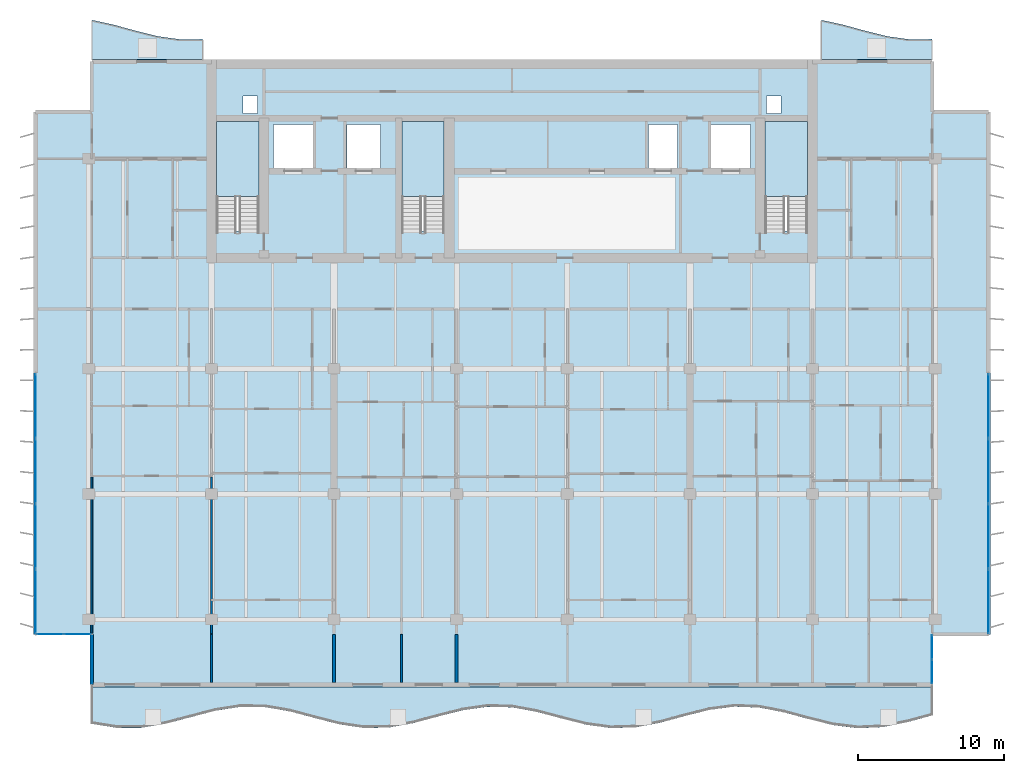
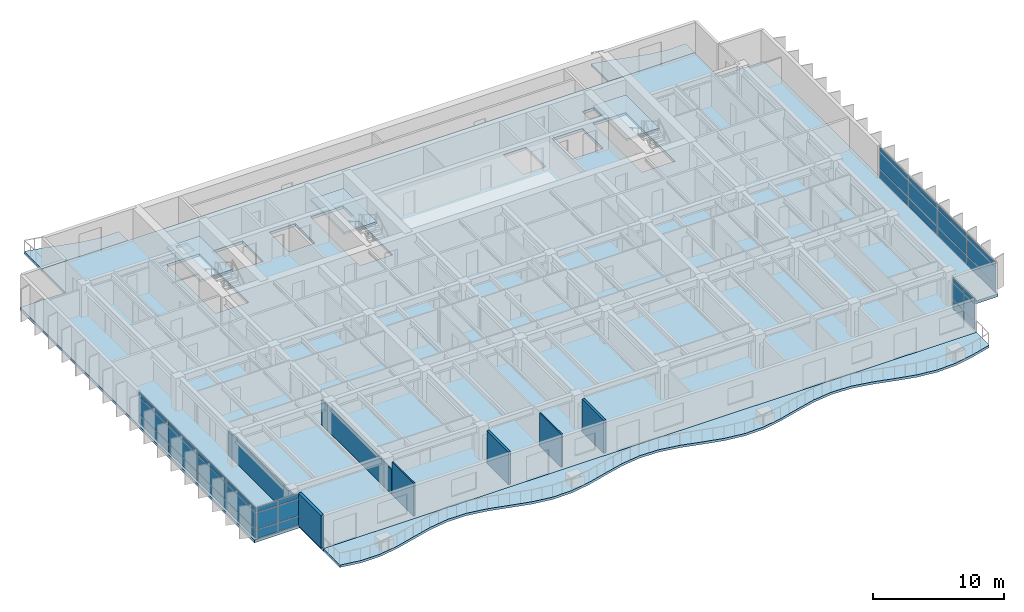
# One storey, part 7 of 19: 36 plates, 7 slabs, 7 walls, 7 elements without a shape of their own.
"""IFC4 building model written with IfcOpenShell, lengths in metres."""

from ifc_helpers import new_model, si_unit, direction, frame, frame_2d, origin, origin_2d, place, context, subcontext, project, spatial, polyline, rectangle, outline, extrude, material, layer, layer_set, type_object, element, aggregate, save


model = new_model("IFC4")

# Units and contexts
model_context = context("Model", 3, precision=1e-05, world=origin(), true_north=direction((0.0, 1.0)))
body_context = subcontext(model_context, "Body", "Model", "MODEL_VIEW")
ifc_project = project(units=[si_unit("LENGTHUNIT", "METRE"), si_unit("AREAUNIT", "SQUARE_METRE"), si_unit("VOLUMEUNIT", "CUBIC_METRE"), si_unit("PLANEANGLEUNIT", "RADIAN"), si_unit("MASSUNIT", "GRAM", prefix="KILO")], contexts=[model_context])

# Site, building, storey
site_placement = place(None, origin())
site = spatial("IfcSite", under=ifc_project, at=site_placement, CompositionType="ELEMENT")
building_placement = place(site_placement, origin())
building = spatial("IfcBuilding", under=site, at=building_placement, Name="Caelmar Bay Residences", CompositionType="ELEMENT")
storey_placement = place(building_placement, frame((0.0, 0.0, 195.0)))
storey = spatial("IfcBuildingStorey", under=building, at=storey_placement, Name="L54", CompositionType="ELEMENT", Elevation=195.0)

# Curtain wall, plates
ifc_material_1 = material(Name="Anodised bronze aluminium 6063-T6 and laminated glass", Category="aluminium")
ifc_layer_1 = layer(ifc_material_1, 0.179931640625)
ifc_layer_set_1 = layer_set([ifc_layer_1], Name="Anodised bronze aluminium 6063-T6 and laminated glass")
curtain_wall_type_1 = type_object("IfcCurtainWallType", Name="CW6-NTC", PredefinedType="NOTDEFINED", material=ifc_layer_set_1)
curtain_wall_1_placement = place(storey_placement, origin())
curtain_wall_1 = element("IfcCurtainWall", 1, at=curtain_wall_1_placement, inside=storey, type_object=curtain_wall_type_1, Name="CW6 curtain wall L54", PredefinedType="NOTDEFINED")
ifc_material_2 = material(Name="Bronze-tinted laminated low-E hurricane glass 28 mm", Category="glass")
ifc_layer_2 = layer(ifc_material_2, 0.028076171875)
ifc_layer_set_2 = layer_set([ifc_layer_2], Name="Bronze-tinted laminated low-E hurricane glass 28 mm")
plate_type = type_object("IfcPlateType", Name="CWP-GLZ28", PredefinedType="CURTAIN_PANEL", material=ifc_layer_set_2)
plate_1_placement = place(storey_placement, frame((7.232421875, 11.199951171875, 0.080078125), z_axis=(0.0, 0.0, 1.0), x_axis=(1.0, 0.0, 0.0)))
plate_1 = element("IfcPlate", 2, at=plate_1_placement, type_object=plate_type, Name="CW6 panel 1.1", PredefinedType="CURTAIN_PANEL", context=body_context, shape_type="SweptSolid", body=[
    extrude(rectangle(XDim=1.804931640625, YDim=0.028076171875, at=origin_2d()), origin(), (0.0, 0.0, 1.0), 0.780029296875),
])
plate_2_placement = place(storey_placement, frame((7.232421875, 11.199951171875, 0.93994140625), z_axis=(0.0, 0.0, 1.0), x_axis=(1.0, 0.0, 0.0)))
plate_2 = element("IfcPlate", 3, at=plate_2_placement, type_object=plate_type, Name="CW6 panel 1.2", PredefinedType="CURTAIN_PANEL", context=body_context, shape_type="SweptSolid", body=[
    extrude(rectangle(XDim=1.804931640625, YDim=0.028076171875, at=origin_2d()), origin(), (0.0, 0.0, 1.0), 1.52001953125),
])
plate_3_placement = place(storey_placement, frame((7.232421875, 11.199951171875, 2.5400390625), z_axis=(0.0, 0.0, 1.0), x_axis=(1.0, 0.0, 0.0)))
plate_3 = element("IfcPlate", 4, at=plate_3_placement, type_object=plate_type, Name="CW6 panel 1.3", PredefinedType="CURTAIN_PANEL", context=body_context, shape_type="SweptSolid", body=[
    extrude(rectangle(XDim=1.804931640625, YDim=0.028076171875, at=origin_2d()), origin(), (0.0, 0.0, 1.0), 0.429931640625),
])
plate_4_placement = place(storey_placement, frame((9.117431640625, 11.199951171875, 0.080078125), z_axis=(0.0, 0.0, 1.0), x_axis=(1.0, 0.0, 0.0)))
plate_4 = element("IfcPlate", 5, at=plate_4_placement, type_object=plate_type, Name="CW6 panel 2.1", PredefinedType="CURTAIN_PANEL", context=body_context, shape_type="SweptSolid", body=[
    extrude(rectangle(XDim=1.804931640625, YDim=0.028076171875, at=origin_2d()), origin(), (0.0, 0.0, 1.0), 0.780029296875),
])
plate_5_placement = place(storey_placement, frame((9.117431640625, 11.199951171875, 0.93994140625), z_axis=(0.0, 0.0, 1.0), x_axis=(1.0, 0.0, 0.0)))
plate_5 = element("IfcPlate", 6, at=plate_5_placement, type_object=plate_type, Name="CW6 panel 2.2", PredefinedType="CURTAIN_PANEL", context=body_context, shape_type="SweptSolid", body=[
    extrude(rectangle(XDim=1.804931640625, YDim=0.028076171875, at=origin_2d()), origin(), (0.0, 0.0, 1.0), 1.52001953125),
])
plate_6_placement = place(storey_placement, frame((9.117431640625, 11.199951171875, 2.5400390625), z_axis=(0.0, 0.0, 1.0), x_axis=(1.0, 0.0, 0.0)))
plate_6 = element("IfcPlate", 7, at=plate_6_placement, type_object=plate_type, Name="CW6 panel 2.3", PredefinedType="CURTAIN_PANEL", context=body_context, shape_type="SweptSolid", body=[
    extrude(rectangle(XDim=1.804931640625, YDim=0.028076171875, at=origin_2d()), origin(), (0.0, 0.0, 1.0), 0.429931640625),
])
aggregate(curtain_wall_1, [plate_1, plate_2, plate_3, plate_4, plate_5, plate_6])

curtain_wall_2_placement = place(storey_placement, origin())
curtain_wall_2 = element("IfcCurtainWall", 8, at=curtain_wall_2_placement, inside=storey, type_object=curtain_wall_type_1, Name="CW6 curtain wall L54", PredefinedType="NOTDEFINED")
plate_7_placement = place(storey_placement, frame((67.699951171875, 8.632568359375, 0.080078125), z_axis=(0.0, 0.0, 1.0), x_axis=(0.0, 1.0, 0.0)))
plate_7 = element("IfcPlate", 9, at=plate_7_placement, type_object=plate_type, Name="CW6 panel 1.1", PredefinedType="CURTAIN_PANEL", context=body_context, shape_type="SweptSolid", body=[
    extrude(rectangle(XDim=1.60498046875, YDim=0.028076171875, at=origin_2d()), origin(), (0.0, 0.0, 1.0), 0.780029296875),
])
plate_8_placement = place(storey_placement, frame((67.699951171875, 8.632568359375, 0.93994140625), z_axis=(0.0, 0.0, 1.0), x_axis=(0.0, 1.0, 0.0)))
plate_8 = element("IfcPlate", 10, at=plate_8_placement, type_object=plate_type, Name="CW6 panel 1.2", PredefinedType="CURTAIN_PANEL", context=body_context, shape_type="SweptSolid", body=[
    extrude(rectangle(XDim=1.60498046875, YDim=0.028076171875, at=origin_2d()), origin(), (0.0, 0.0, 1.0), 1.52001953125),
])
plate_9_placement = place(storey_placement, frame((67.699951171875, 8.632568359375, 2.5400390625), z_axis=(0.0, 0.0, 1.0), x_axis=(0.0, 1.0, 0.0)))
plate_9 = element("IfcPlate", 11, at=plate_9_placement, type_object=plate_type, Name="CW6 panel 1.3", PredefinedType="CURTAIN_PANEL", context=body_context, shape_type="SweptSolid", body=[
    extrude(rectangle(XDim=1.60498046875, YDim=0.028076171875, at=origin_2d()), origin(), (0.0, 0.0, 1.0), 0.429931640625),
])
plate_10_placement = place(storey_placement, frame((67.699951171875, 10.3173828125, 0.080078125), z_axis=(0.0, 0.0, 1.0), x_axis=(0.0, 1.0, 0.0)))
plate_10 = element("IfcPlate", 12, at=plate_10_placement, type_object=plate_type, Name="CW6 panel 2.1", PredefinedType="CURTAIN_PANEL", context=body_context, shape_type="SweptSolid", body=[
    extrude(rectangle(XDim=1.60498046875, YDim=0.028076171875, at=origin_2d()), origin(), (0.0, 0.0, 1.0), 0.780029296875),
])
plate_11_placement = place(storey_placement, frame((67.699951171875, 10.3173828125, 0.93994140625), z_axis=(0.0, 0.0, 1.0), x_axis=(0.0, 1.0, 0.0)))
plate_11 = element("IfcPlate", 13, at=plate_11_placement, type_object=plate_type, Name="CW6 panel 2.2", PredefinedType="CURTAIN_PANEL", context=body_context, shape_type="SweptSolid", body=[
    extrude(rectangle(XDim=1.60498046875, YDim=0.028076171875, at=origin_2d()), origin(), (0.0, 0.0, 1.0), 1.52001953125),
])
plate_12_placement = place(storey_placement, frame((67.699951171875, 10.3173828125, 2.5400390625), z_axis=(0.0, 0.0, 1.0), x_axis=(0.0, 1.0, 0.0)))
plate_12 = element("IfcPlate", 14, at=plate_12_placement, type_object=plate_type, Name="CW6 panel 2.3", PredefinedType="CURTAIN_PANEL", context=body_context, shape_type="SweptSolid", body=[
    extrude(rectangle(XDim=1.60498046875, YDim=0.028076171875, at=origin_2d()), origin(), (0.0, 0.0, 1.0), 0.429931640625),
])
aggregate(curtain_wall_2, [plate_7, plate_8, plate_9, plate_10, plate_11, plate_12])

ifc_layer_3 = layer(ifc_material_1, 0.179931640625)
ifc_layer_set_3 = layer_set([ifc_layer_3], Name="Anodised bronze aluminium 6063-T6 and laminated glass")
curtain_wall_type_2 = type_object("IfcCurtainWallType", Name="CW4-Z3", PredefinedType="NOTDEFINED", material=ifc_layer_set_3)
curtain_wall_3_placement = place(storey_placement, origin())
curtain_wall_3 = element("IfcCurtainWall", 15, at=curtain_wall_3_placement, inside=storey, type_object=curtain_wall_type_2, Name="CW4 curtain wall L54", PredefinedType="NOTDEFINED")
plate_13_placement = place(storey_placement, frame((6.25, 13.45751953125, 0.080078125), z_axis=(0.0, 0.0, 1.0), x_axis=(0.0, 1.0, 0.0)))
plate_13 = element("IfcPlate", 16, at=plate_13_placement, type_object=plate_type, Name="CW4 panel 1.1", PredefinedType="CURTAIN_PANEL", context=body_context, shape_type="SweptSolid", body=[
    extrude(rectangle(XDim=4.35498046875, YDim=0.028076171875, at=origin_2d()), origin(), (0.0, 0.0, 1.0), 0.780029296875),
])
plate_14_placement = place(storey_placement, frame((6.25, 13.45751953125, 0.93994140625), z_axis=(0.0, 0.0, 1.0), x_axis=(0.0, 1.0, 0.0)))
plate_14 = element("IfcPlate", 17, at=plate_14_placement, type_object=plate_type, Name="CW4 panel 1.2", PredefinedType="CURTAIN_PANEL", context=body_context, shape_type="SweptSolid", body=[
    extrude(rectangle(XDim=4.35498046875, YDim=0.028076171875, at=origin_2d()), origin(), (0.0, 0.0, 1.0), 1.52001953125),
])
plate_15_placement = place(storey_placement, frame((6.25, 13.45751953125, 2.5400390625), z_axis=(0.0, 0.0, 1.0), x_axis=(0.0, 1.0, 0.0)))
plate_15 = element("IfcPlate", 18, at=plate_15_placement, type_object=plate_type, Name="CW4 panel 1.3", PredefinedType="CURTAIN_PANEL", context=body_context, shape_type="SweptSolid", body=[
    extrude(rectangle(XDim=4.35498046875, YDim=0.028076171875, at=origin_2d()), origin(), (0.0, 0.0, 1.0), 0.429931640625),
])
plate_16_placement = place(storey_placement, frame((6.25, 17.91259765625, 0.080078125), z_axis=(0.0, 0.0, 1.0), x_axis=(0.0, 1.0, 0.0)))
plate_16 = element("IfcPlate", 19, at=plate_16_placement, type_object=plate_type, Name="CW4 panel 2.1", PredefinedType="CURTAIN_PANEL", context=body_context, shape_type="SweptSolid", body=[
    extrude(rectangle(XDim=4.39501953125, YDim=0.028076171875, at=origin_2d()), origin(), (0.0, 0.0, 1.0), 0.780029296875),
])
plate_17_placement = place(storey_placement, frame((6.25, 17.91259765625, 0.93994140625), z_axis=(0.0, 0.0, 1.0), x_axis=(0.0, 1.0, 0.0)))
plate_17 = element("IfcPlate", 20, at=plate_17_placement, type_object=plate_type, Name="CW4 panel 2.2", PredefinedType="CURTAIN_PANEL", context=body_context, shape_type="SweptSolid", body=[
    extrude(rectangle(XDim=4.39501953125, YDim=0.028076171875, at=origin_2d()), origin(), (0.0, 0.0, 1.0), 1.52001953125),
])
plate_18_placement = place(storey_placement, frame((6.25, 17.91259765625, 2.5400390625), z_axis=(0.0, 0.0, 1.0), x_axis=(0.0, 1.0, 0.0)))
plate_18 = element("IfcPlate", 21, at=plate_18_placement, type_object=plate_type, Name="CW4 panel 2.3", PredefinedType="CURTAIN_PANEL", context=body_context, shape_type="SweptSolid", body=[
    extrude(rectangle(XDim=4.39501953125, YDim=0.028076171875, at=origin_2d()), origin(), (0.0, 0.0, 1.0), 0.429931640625),
])
plate_19_placement = place(storey_placement, frame((6.25, 22.387451171875, 0.080078125), z_axis=(0.0, 0.0, 1.0), x_axis=(0.0, 1.0, 0.0)))
plate_19 = element("IfcPlate", 22, at=plate_19_placement, type_object=plate_type, Name="CW4 panel 3.1", PredefinedType="CURTAIN_PANEL", context=body_context, shape_type="SweptSolid", body=[
    extrude(rectangle(XDim=4.39501953125, YDim=0.028076171875, at=origin_2d()), origin(), (0.0, 0.0, 1.0), 0.780029296875),
])
plate_20_placement = place(storey_placement, frame((6.25, 22.387451171875, 0.93994140625), z_axis=(0.0, 0.0, 1.0), x_axis=(0.0, 1.0, 0.0)))
plate_20 = element("IfcPlate", 23, at=plate_20_placement, type_object=plate_type, Name="CW4 panel 3.2", PredefinedType="CURTAIN_PANEL", context=body_context, shape_type="SweptSolid", body=[
    extrude(rectangle(XDim=4.39501953125, YDim=0.028076171875, at=origin_2d()), origin(), (0.0, 0.0, 1.0), 1.52001953125),
])
plate_21_placement = place(storey_placement, frame((6.25, 22.387451171875, 2.5400390625), z_axis=(0.0, 0.0, 1.0), x_axis=(0.0, 1.0, 0.0)))
plate_21 = element("IfcPlate", 24, at=plate_21_placement, type_object=plate_type, Name="CW4 panel 3.3", PredefinedType="CURTAIN_PANEL", context=body_context, shape_type="SweptSolid", body=[
    extrude(rectangle(XDim=4.39501953125, YDim=0.028076171875, at=origin_2d()), origin(), (0.0, 0.0, 1.0), 0.429931640625),
])
plate_22_placement = place(storey_placement, frame((6.25, 26.842529296875, 0.080078125), z_axis=(0.0, 0.0, 1.0), x_axis=(0.0, 1.0, 0.0)))
plate_22 = element("IfcPlate", 25, at=plate_22_placement, type_object=plate_type, Name="CW4 panel 4.1", PredefinedType="CURTAIN_PANEL", context=body_context, shape_type="SweptSolid", body=[
    extrude(rectangle(XDim=4.35498046875, YDim=0.028076171875, at=origin_2d()), origin(), (0.0, 0.0, 1.0), 0.780029296875),
])
plate_23_placement = place(storey_placement, frame((6.25, 26.842529296875, 0.93994140625), z_axis=(0.0, 0.0, 1.0), x_axis=(0.0, 1.0, 0.0)))
plate_23 = element("IfcPlate", 26, at=plate_23_placement, type_object=plate_type, Name="CW4 panel 4.2", PredefinedType="CURTAIN_PANEL", context=body_context, shape_type="SweptSolid", body=[
    extrude(rectangle(XDim=4.35498046875, YDim=0.028076171875, at=origin_2d()), origin(), (0.0, 0.0, 1.0), 1.52001953125),
])
plate_24_placement = place(storey_placement, frame((6.25, 26.842529296875, 2.5400390625), z_axis=(0.0, 0.0, 1.0), x_axis=(0.0, 1.0, 0.0)))
plate_24 = element("IfcPlate", 27, at=plate_24_placement, type_object=plate_type, Name="CW4 panel 4.3", PredefinedType="CURTAIN_PANEL", context=body_context, shape_type="SweptSolid", body=[
    extrude(rectangle(XDim=4.35498046875, YDim=0.028076171875, at=origin_2d()), origin(), (0.0, 0.0, 1.0), 0.429931640625),
])
aggregate(curtain_wall_3, [plate_13, plate_14, plate_15, plate_16, plate_17, plate_18, plate_19, plate_20, plate_21, plate_22, plate_23, plate_24])

curtain_wall_4_placement = place(storey_placement, origin())
curtain_wall_4 = element("IfcCurtainWall", 28, at=curtain_wall_4_placement, inside=storey, type_object=curtain_wall_type_2, Name="CW4 curtain wall L54", PredefinedType="NOTDEFINED")
plate_25_placement = place(storey_placement, frame((71.550048828125, 26.842529296875, 0.080078125), z_axis=(0.0, 0.0, 1.0), x_axis=(0.0, -1.0, 0.0)))
plate_25 = element("IfcPlate", 29, at=plate_25_placement, type_object=plate_type, Name="CW4 panel 1.1", PredefinedType="CURTAIN_PANEL", context=body_context, shape_type="SweptSolid", body=[
    extrude(rectangle(XDim=4.35498046875, YDim=0.028076171875, at=origin_2d()), origin(), (0.0, 0.0, 1.0), 0.780029296875),
])
plate_26_placement = place(storey_placement, frame((71.550048828125, 26.842529296875, 0.93994140625), z_axis=(0.0, 0.0, 1.0), x_axis=(0.0, -1.0, 0.0)))
plate_26 = element("IfcPlate", 30, at=plate_26_placement, type_object=plate_type, Name="CW4 panel 1.2", PredefinedType="CURTAIN_PANEL", context=body_context, shape_type="SweptSolid", body=[
    extrude(rectangle(XDim=4.35498046875, YDim=0.028076171875, at=origin_2d()), origin(), (0.0, 0.0, 1.0), 1.52001953125),
])
plate_27_placement = place(storey_placement, frame((71.550048828125, 26.842529296875, 2.5400390625), z_axis=(0.0, 0.0, 1.0), x_axis=(0.0, -1.0, 0.0)))
plate_27 = element("IfcPlate", 31, at=plate_27_placement, type_object=plate_type, Name="CW4 panel 1.3", PredefinedType="CURTAIN_PANEL", context=body_context, shape_type="SweptSolid", body=[
    extrude(rectangle(XDim=4.35498046875, YDim=0.028076171875, at=origin_2d()), origin(), (0.0, 0.0, 1.0), 0.429931640625),
])
plate_28_placement = place(storey_placement, frame((71.550048828125, 22.387451171875, 0.080078125), z_axis=(0.0, 0.0, 1.0), x_axis=(0.0, -1.0, 0.0)))
plate_28 = element("IfcPlate", 32, at=plate_28_placement, type_object=plate_type, Name="CW4 panel 2.1", PredefinedType="CURTAIN_PANEL", context=body_context, shape_type="SweptSolid", body=[
    extrude(rectangle(XDim=4.39501953125, YDim=0.028076171875, at=origin_2d()), origin(), (0.0, 0.0, 1.0), 0.780029296875),
])
plate_29_placement = place(storey_placement, frame((71.550048828125, 22.387451171875, 0.93994140625), z_axis=(0.0, 0.0, 1.0), x_axis=(0.0, -1.0, 0.0)))
plate_29 = element("IfcPlate", 33, at=plate_29_placement, type_object=plate_type, Name="CW4 panel 2.2", PredefinedType="CURTAIN_PANEL", context=body_context, shape_type="SweptSolid", body=[
    extrude(rectangle(XDim=4.39501953125, YDim=0.028076171875, at=origin_2d()), origin(), (0.0, 0.0, 1.0), 1.52001953125),
])
plate_30_placement = place(storey_placement, frame((71.550048828125, 22.387451171875, 2.5400390625), z_axis=(0.0, 0.0, 1.0), x_axis=(0.0, -1.0, 0.0)))
plate_30 = element("IfcPlate", 34, at=plate_30_placement, type_object=plate_type, Name="CW4 panel 2.3", PredefinedType="CURTAIN_PANEL", context=body_context, shape_type="SweptSolid", body=[
    extrude(rectangle(XDim=4.39501953125, YDim=0.028076171875, at=origin_2d()), origin(), (0.0, 0.0, 1.0), 0.429931640625),
])
plate_31_placement = place(storey_placement, frame((71.550048828125, 17.91259765625, 0.080078125), z_axis=(0.0, 0.0, 1.0), x_axis=(0.0, -1.0, 0.0)))
plate_31 = element("IfcPlate", 35, at=plate_31_placement, type_object=plate_type, Name="CW4 panel 3.1", PredefinedType="CURTAIN_PANEL", context=body_context, shape_type="SweptSolid", body=[
    extrude(rectangle(XDim=4.39501953125, YDim=0.028076171875, at=origin_2d()), origin(), (0.0, 0.0, 1.0), 0.780029296875),
])
plate_32_placement = place(storey_placement, frame((71.550048828125, 17.91259765625, 0.93994140625), z_axis=(0.0, 0.0, 1.0), x_axis=(0.0, -1.0, 0.0)))
plate_32 = element("IfcPlate", 36, at=plate_32_placement, type_object=plate_type, Name="CW4 panel 3.2", PredefinedType="CURTAIN_PANEL", context=body_context, shape_type="SweptSolid", body=[
    extrude(rectangle(XDim=4.39501953125, YDim=0.028076171875, at=origin_2d()), origin(), (0.0, 0.0, 1.0), 1.52001953125),
])
plate_33_placement = place(storey_placement, frame((71.550048828125, 17.91259765625, 2.5400390625), z_axis=(0.0, 0.0, 1.0), x_axis=(0.0, -1.0, 0.0)))
plate_33 = element("IfcPlate", 37, at=plate_33_placement, type_object=plate_type, Name="CW4 panel 3.3", PredefinedType="CURTAIN_PANEL", context=body_context, shape_type="SweptSolid", body=[
    extrude(rectangle(XDim=4.39501953125, YDim=0.028076171875, at=origin_2d()), origin(), (0.0, 0.0, 1.0), 0.429931640625),
])
plate_34_placement = place(storey_placement, frame((71.550048828125, 13.45751953125, 0.080078125), z_axis=(0.0, 0.0, 1.0), x_axis=(0.0, -1.0, 0.0)))
plate_34 = element("IfcPlate", 38, at=plate_34_placement, type_object=plate_type, Name="CW4 panel 4.1", PredefinedType="CURTAIN_PANEL", context=body_context, shape_type="SweptSolid", body=[
    extrude(rectangle(XDim=4.35498046875, YDim=0.028076171875, at=origin_2d()), origin(), (0.0, 0.0, 1.0), 0.780029296875),
])
plate_35_placement = place(storey_placement, frame((71.550048828125, 13.45751953125, 0.93994140625), z_axis=(0.0, 0.0, 1.0), x_axis=(0.0, -1.0, 0.0)))
plate_35 = element("IfcPlate", 39, at=plate_35_placement, type_object=plate_type, Name="CW4 panel 4.2", PredefinedType="CURTAIN_PANEL", context=body_context, shape_type="SweptSolid", body=[
    extrude(rectangle(XDim=4.35498046875, YDim=0.028076171875, at=origin_2d()), origin(), (0.0, 0.0, 1.0), 1.52001953125),
])
plate_36_placement = place(storey_placement, frame((71.550048828125, 13.45751953125, 2.5400390625), z_axis=(0.0, 0.0, 1.0), x_axis=(0.0, -1.0, 0.0)))
plate_36 = element("IfcPlate", 40, at=plate_36_placement, type_object=plate_type, Name="CW4 panel 4.3", PredefinedType="CURTAIN_PANEL", context=body_context, shape_type="SweptSolid", body=[
    extrude(rectangle(XDim=4.35498046875, YDim=0.028076171875, at=origin_2d()), origin(), (0.0, 0.0, 1.0), 0.429931640625),
])
aggregate(curtain_wall_4, [plate_25, plate_26, plate_27, plate_28, plate_29, plate_30, plate_31, plate_32, plate_33, plate_34, plate_35, plate_36])

# Slabs
ifc_material_3 = material(Name="Concrete f'c 40 MPa (6,000 psi)", Category="concrete")
ifc_layer_4 = layer(ifc_material_3, 0.219970703125)
ifc_layer_set_4 = layer_set([ifc_layer_4], Name="Concrete f'c 40 MPa (6,000 psi)")
slab_type_1 = type_object("IfcSlabType", Name="SLB-BAL-220", PredefinedType="FLOOR", material=ifc_layer_set_4)
slab_1_placement = place(storey_placement, frame((0.0, 0.0, -0.219970703125)))
element("IfcSlab", 41, at=slab_1_placement, inside=storey, type_object=slab_type_1, Name="L54 Sinusoidal Tree-Balcony Slab south", PredefinedType="FLOOR", context=body_context, shape_type="SweptSolid", body=[
    extrude(outline(polyline([(10.10009765625, 5.05908203125), (11.794189453125, 4.785400390625), (13.48828125, 4.789306640625), (15.182373046875, 5.06884765625), (16.87646484375, 5.515869140625), (18.570556640625, 5.956787109375), (20.2646484375, 6.22021484375), (21.958740234375, 6.2041015625), (23.65283203125, 5.914794921875), (25.34716796875, 5.46435546875), (27.041259765625, 5.027587890625), (28.7353515625, 4.7744140625), (30.429443359375, 4.802734375), (32.12353515625, 5.101806640625), (33.817626953125, 5.555419921875), (35.51171875, 5.987548828125), (37.205810546875, 6.230224609375), (38.89990234375, 6.189697265625), (40.593994140625, 5.88134765625), (42.2880859375, 5.4248046875), (43.982421875, 4.997802734375), (45.676513671875, 4.765380859375), (47.37060546875, 4.818359375), (49.064697265625, 5.135986328125), (50.7587890625, 5.5947265625), (52.452880859375, 6.016845703125), (54.147216796875, 6.23828125), (55.84130859375, 6.173095703125), (57.535400390625, 5.8466796875), (59.2294921875, 5.385498046875), (60.923583984375, 4.968994140625), (62.61767578125, 4.758544921875), (64.311767578125, 4.835693359375), (66.005859375, 5.1708984375), (67.699951171875, 5.6337890625), (67.699951171875, 7.60009765625), (10.10009765625, 7.60009765625), (10.10009765625, 5.05908203125)])), origin(), (0.0, 0.0, 1.0), 0.219970703125),
])
slab_2_placement = place(storey_placement, frame((0.0, 0.0, -0.219970703125)))
element("IfcSlab", 42, at=slab_2_placement, inside=storey, type_object=slab_type_1, Name="L54 Sinusoidal Tree-Balcony Slab north_west", PredefinedType="FLOOR", context=body_context, shape_type="SweptSolid", body=[
    extrude(outline(polyline([(10.10009765625, 50.60009765625), (17.699951171875, 50.60009765625), (17.699951171875, 51.990234375), (16.179931640625, 51.971435546875), (14.659912109375, 52.181640625), (13.139892578125, 52.55517578125), (11.6201171875, 52.97412109375), (10.10009765625, 53.306884765625), (10.10009765625, 50.60009765625)])), origin(), (0.0, 0.0, 1.0), 0.219970703125),
])
slab_3_placement = place(storey_placement, frame((0.0, 0.0, -0.219970703125)))
element("IfcSlab", 43, at=slab_3_placement, inside=storey, type_object=slab_type_1, Name="L54 Sinusoidal Tree-Balcony Slab north_east", PredefinedType="FLOOR", context=body_context, shape_type="SweptSolid", body=[
    extrude(outline(polyline([(60.10009765625, 50.60009765625), (67.699951171875, 50.60009765625), (67.699951171875, 51.990234375), (66.179931640625, 51.971435546875), (64.659912109375, 52.181640625), (63.139892578125, 52.55517578125), (61.6201171875, 52.97412109375), (60.10009765625, 53.306884765625), (60.10009765625, 50.60009765625)])), origin(), (0.0, 0.0, 1.0), 0.219970703125),
])

# Stair, slab
stair_type = type_object("IfcStairType", Name="ST-TYP-165", PredefinedType="HALF_TURN_STAIR", material=ifc_material_3)
stair_1_placement = place(storey_placement, origin())
stair_1 = element("IfcStair", 44, at=stair_1_placement, inside=storey, type_object=stair_type, Name="L54 West Smokeproof Exit Stair ST1", PredefinedType="HALF_TURN_STAIR")
ifc_layer_5 = layer(ifc_material_3, 0.199951171875)
ifc_layer_set_5 = layer_set([ifc_layer_5], Name="Concrete f'c 40 MPa (6,000 psi)")
slab_type_2 = type_object("IfcSlabType", Name="SLB-LND-200", PredefinedType="LANDING", material=ifc_layer_set_5)
slab_4_placement = place(storey_placement, frame((0.0, 0.0, 1.449951171875)))
slab_4 = element("IfcSlab", 45, at=slab_4_placement, type_object=slab_type_2, Name="ST1 landing 1", PredefinedType="LANDING", context=body_context, shape_type="SweptSolid", body=[
    extrude(outline(polyline([(21.550048828125, 41.219970703125), (21.550048828125, 46.35009765625), (18.64990234375, 46.35009765625), (18.64990234375, 41.219970703125), (21.550048828125, 41.219970703125)])), origin(), (0.0, 0.0, 1.0), 0.199951171875),
])
aggregate(stair_1, [slab_4])

stair_2_placement = place(storey_placement, origin())
stair_2 = element("IfcStair", 46, at=stair_2_placement, inside=storey, type_object=stair_type, Name="L54 East Smokeproof Exit Stair ST2", PredefinedType="HALF_TURN_STAIR")
slab_5_placement = place(storey_placement, frame((0.0, 0.0, 1.449951171875)))
slab_5 = element("IfcSlab", 47, at=slab_5_placement, type_object=slab_type_2, Name="ST2 landing 1", PredefinedType="LANDING", context=body_context, shape_type="SweptSolid", body=[
    extrude(outline(polyline([(59.14990234375, 41.219970703125), (59.14990234375, 46.35009765625), (56.25, 46.35009765625), (56.25, 41.219970703125), (59.14990234375, 41.219970703125)])), origin(), (0.0, 0.0, 1.0), 0.199951171875),
])
aggregate(stair_2, [slab_5])

stair_3_placement = place(storey_placement, origin())
stair_3 = element("IfcStair", 48, at=stair_3_placement, inside=storey, type_object=stair_type, Name="L54 Central Smokeproof Exit Stair ST3", PredefinedType="HALF_TURN_STAIR")
slab_6_placement = place(storey_placement, frame((0.0, 0.0, 1.449951171875)))
slab_6 = element("IfcSlab", 49, at=slab_6_placement, type_object=slab_type_2, Name="ST3 landing 1", PredefinedType="LANDING", context=body_context, shape_type="SweptSolid", body=[
    extrude(outline(polyline([(34.25, 41.219970703125), (34.25, 46.35009765625), (31.35009765625, 46.35009765625), (31.35009765625, 41.219970703125), (34.25, 41.219970703125)])), origin(), (0.0, 0.0, 1.0), 0.199951171875),
])
aggregate(stair_3, [slab_6])

# Slab
ifc_layer_6 = layer(ifc_material_3, 0.25)
ifc_layer_set_6 = layer_set([ifc_layer_6], Name="Concrete f'c 40 MPa (6,000 psi)")
slab_type_3 = type_object("IfcSlabType", Name="SLB-RES-250", PredefinedType="FLOOR", material=ifc_layer_set_6)
slab_7_placement = place(storey_placement, frame((0.0, 0.0, -0.25)))
element("IfcSlab", 50, at=slab_7_placement, inside=storey, type_object=slab_type_3, Name="L54 Structural Floor Slab", PredefinedType="FLOOR", context=body_context, shape_type="SweptSolid", body=[
    extrude(outline(polyline([(10.10009765625, 7.60009765625), (67.699951171875, 7.60009765625), (67.699951171875, 11.199951171875), (71.699951171875, 11.199951171875), (71.699951171875, 47.0), (67.699951171875, 47.0), (67.699951171875, 50.60009765625), (10.10009765625, 50.60009765625), (10.10009765625, 47.0), (6.10009765625, 47.0), (6.10009765625, 11.199951171875), (10.10009765625, 11.199951171875), (10.10009765625, 7.60009765625)]), holes=[polyline([(18.64990234375, 38.85009765625), (21.550048828125, 38.85009765625), (21.550048828125, 46.35009765625), (18.64990234375, 46.35009765625), (18.64990234375, 38.85009765625)]), polyline([(56.25, 38.85009765625), (59.14990234375, 38.85009765625), (59.14990234375, 46.35009765625), (56.25, 46.35009765625), (56.25, 38.85009765625)]), polyline([(31.35009765625, 38.85009765625), (34.25, 38.85009765625), (34.25, 46.35009765625), (31.35009765625, 46.35009765625), (31.35009765625, 38.85009765625)]), polyline([(22.550048828125, 43.050048828125), (25.25, 43.050048828125), (25.25, 46.14990234375), (22.550048828125, 46.14990234375), (22.550048828125, 43.050048828125)]), polyline([(52.550048828125, 43.050048828125), (55.25, 43.050048828125), (55.25, 46.14990234375), (52.550048828125, 46.14990234375), (52.550048828125, 43.050048828125)]), polyline([(48.25, 43.14990234375), (50.25, 43.14990234375), (50.25, 46.14990234375), (48.25, 46.14990234375), (48.25, 43.14990234375)]), polyline([(27.60009765625, 43.14990234375), (29.89990234375, 43.14990234375), (29.89990234375, 46.14990234375), (27.60009765625, 46.14990234375), (27.60009765625, 43.14990234375)]), polyline([(20.449951171875, 46.89990234375), (21.449951171875, 46.89990234375), (21.449951171875, 48.10009765625), (20.449951171875, 48.10009765625), (20.449951171875, 46.89990234375)]), polyline([(56.35009765625, 46.89990234375), (57.35009765625, 46.89990234375), (57.35009765625, 48.10009765625), (56.35009765625, 48.10009765625), (56.35009765625, 46.89990234375)])]), origin(), (0.0, 0.0, 1.0), 0.25),
])

# Walls
ifc_material_4 = material(Name="Precast concrete f'c 40 MPa (6,000 psi)", Category="concrete")
ifc_layer_7 = layer(ifc_material_4, 0.25)
ifc_layer_set_7 = layer_set([ifc_layer_7], Name="Precast concrete f'c 40 MPa (6,000 psi)")
wall_type_1 = type_object("IfcWallType", Name="W-EXT-250", PredefinedType="ELEMENTEDWALL", material=ifc_layer_set_7)
wall_1_placement = place(storey_placement, frame((10.10009765625, 11.199951171875, 0.0), z_axis=(0.0, 0.0, 1.0), x_axis=(0.0, -1.0, 0.0)))
element("IfcWall", 51, at=wall_1_placement, inside=storey, type_object=wall_type_1, Name="L54 SW Notch Return Wall", PredefinedType="ELEMENTEDWALL", context=body_context, shape_type="SweptSolid", body=[
    extrude(rectangle(XDim=3.449951171875, YDim=0.25, at=frame_2d((1.72509765625, 0.0))), origin(), (0.0, 0.0, 1.0), 3.050048828125),
])
ifc_material_5 = material(Name="Acoustic metal-stud gypsum partition 120 mm")
ifc_layer_8 = layer(ifc_material_5, 0.1201171875)
ifc_layer_set_8 = layer_set([ifc_layer_8], Name="Acoustic metal-stud gypsum partition 120 mm")
wall_type_2 = type_object("IfcWallType", Name="W-PRT-120", PredefinedType="PARTITIONING", material=ifc_layer_set_8)
wall_2_placement = place(storey_placement, frame((10.10009765625, 11.284912109375, 0.0), z_axis=(0.0, 0.0, 1.0), x_axis=(0.0, 1.0, 0.0)))
element("IfcWall", 52, at=wall_2_placement, inside=storey, type_object=wall_type_2, Name="L54 Partition Wall V001", PredefinedType="PARTITIONING", context=body_context, shape_type="SweptSolid", body=[
    extrude(rectangle(XDim=10.68505859375, YDim=0.1201171875, at=frame_2d((5.342529296875, 0.0))), origin(), (0.0, 0.0, 1.0), 2.262939453125),
])
wall_3_placement = place(storey_placement, frame((18.300048828125, 7.89501953125, 0.0), z_axis=(0.0, 0.0, 1.0), x_axis=(0.0, 1.0, 0.0)))
element("IfcWall", 53, at=wall_3_placement, inside=storey, type_object=wall_type_2, Name="L54 Partition Wall V014", PredefinedType="PARTITIONING", context=body_context, shape_type="SweptSolid", body=[
    extrude(rectangle(XDim=3.304931640625, YDim=0.1201171875, at=frame_2d((1.65234375, 0.0))), origin(), (0.0, 0.0, 1.0), 3.050048828125),
])
wall_4_placement = place(storey_placement, frame((18.300048828125, 11.239990234375, 0.0), z_axis=(0.0, 0.0, 1.0), x_axis=(0.0, 1.0, 0.0)))
element("IfcWall", 54, at=wall_4_placement, inside=storey, type_object=wall_type_2, Name="L54 Partition Wall V015", PredefinedType="PARTITIONING", context=body_context, shape_type="SweptSolid", body=[
    extrude(rectangle(XDim=10.72998046875, YDim=0.1201171875, at=frame_2d((5.364990234375, 0.0))), origin(), (0.0, 0.0, 1.0), 2.262939453125),
])
wall_5_placement = place(storey_placement, frame((31.320068359375, 7.89501953125, 0.0), z_axis=(0.0, 0.0, 1.0), x_axis=(0.0, 1.0, 0.0)))
element("IfcWall", 55, at=wall_5_placement, inside=storey, type_object=wall_type_2, Name="L54 Partition Wall V031", PredefinedType="PARTITIONING", context=body_context, shape_type="SweptSolid", body=[
    extrude(rectangle(XDim=3.304931640625, YDim=0.1201171875, at=frame_2d((1.65234375, 0.0))), origin(), (0.0, 0.0, 1.0), 3.050048828125),
])
ifc_material_6 = material(Name="Acoustic twin-stud fire-rated inter-tenancy partition 200 mm")
ifc_layer_9 = layer(ifc_material_6, 0.199951171875)
ifc_layer_set_9 = layer_set([ifc_layer_9], Name="Acoustic twin-stud fire-rated inter-tenancy partition 200 mm")
wall_type_3 = type_object("IfcWallType", Name="W-PTY-200", PredefinedType="PARTITIONING", material=ifc_layer_set_9)
for number, where, z_axis, x_axis, name in (
    (56, (26.699951171875, 7.89501953125, 0.0), (0.0, 0.0, 1.0), (0.0, 1.0, 0.0), "L54 Partition Wall V026"),
    (57, (35.10009765625, 7.89501953125, 0.0), (0.0, 0.0, 1.0), (0.0, 1.0, 0.0), "L54 Partition Wall V038"),
):
    element("IfcWall", number, at=place(storey_placement, frame(where, z_axis=z_axis, x_axis=x_axis)), inside=storey, type_object=wall_type_3, Name=name, PredefinedType="PARTITIONING", context=body_context, shape_type="SweptSolid", body=[
        extrude(rectangle(XDim=3.304931640625, YDim=0.199951171875, at=frame_2d((1.65234375, 0.0))), origin(), (0.0, 0.0, 1.0), 3.050048828125),
    ])

save(model, "model.ifc")
